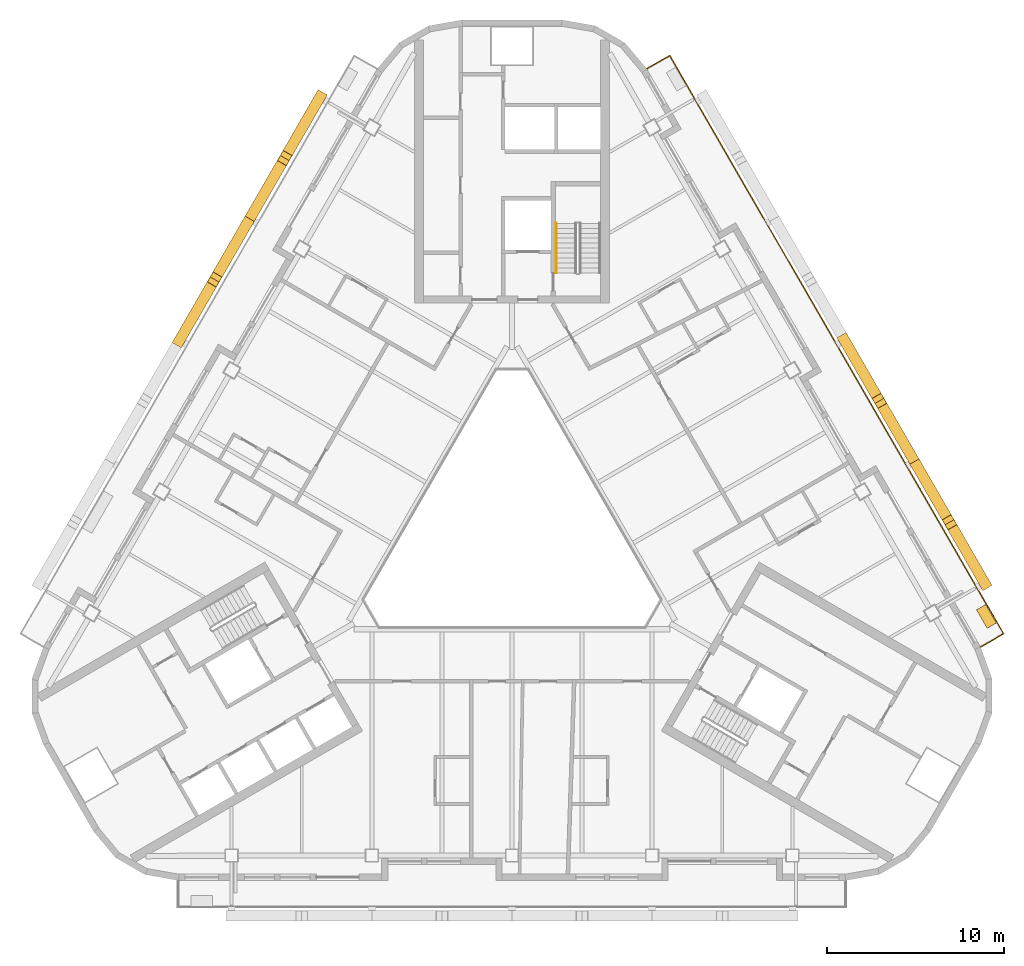
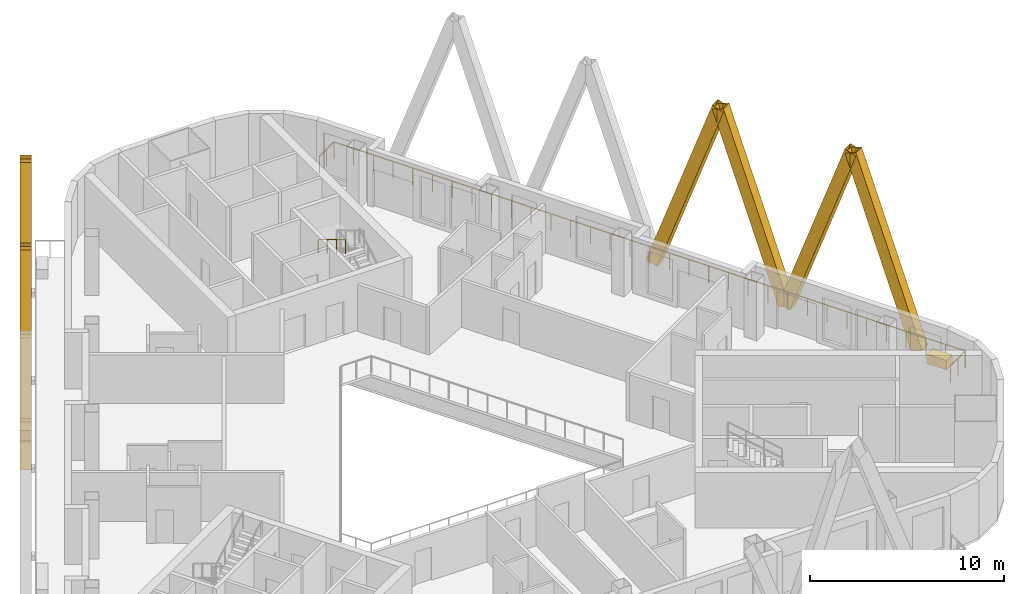
# One storey, part 13 of 14: 8 shading devices, 2 railings, 1 covering.
"""IFC4 building model written with IfcOpenShell, lengths in metres."""

from ifc_helpers import new_model, si_unit, direction, frame, origin, origin_2d, place, context, subcontext, project, spatial, rectangle, hollow_rectangle, circle, extrude, material, material_profile, profile_set, type_object, element, save


model = new_model("IFC4")

# Units and contexts
model_context = context("Model", 3, precision=1e-05, world=origin(), true_north=direction((0.0, 1.0)))
body_context = subcontext(model_context, "Body", "Model", "MODEL_VIEW")
ifc_project = project(units=[si_unit("LENGTHUNIT", "METRE"), si_unit("AREAUNIT", "SQUARE_METRE"), si_unit("VOLUMEUNIT", "CUBIC_METRE"), si_unit("PLANEANGLEUNIT", "RADIAN"), si_unit("MASSUNIT", "GRAM", prefix="KILO")], contexts=[model_context])

# Site, building, storey
site_placement = place(None, origin())
site = spatial("IfcSite", under=ifc_project, at=site_placement, CompositionType="ELEMENT")
building_placement = place(site_placement, origin())
building = spatial("IfcBuilding", under=site, at=building_placement, Name="Apuvela Tower Hotel", CompositionType="ELEMENT")
storey_placement = place(building_placement, frame((0.0, 0.0, 213.199951171875)))
storey = spatial("IfcBuildingStorey", under=building, at=storey_placement, Name="L52", CompositionType="ELEMENT", Elevation=213.199951171875)

# Railing
ifc_material_1 = material(Name="Stainless steel 316 handrail", Category="steel")
railing_type_1 = type_object("IfcRailingType", Name="COR-HANDRAIL-900", PredefinedType="HANDRAIL", material=ifc_material_1)
railing_1_placement = place(storey_placement, frame((2.5, 17.39990234375, 2.018310546875)))
element("IfcRailing", 1, at=railing_1_placement, inside=storey, type_object=railing_type_1, Name="L52 ST1 stair handrail 2", PredefinedType="HANDRAIL", context=body_context, shape_type="SweptSolid", body=[
    extrude(circle(Radius=0.02392578125, at=origin_2d()), frame((0.0, 0.0, 0.8759765625), z_axis=(0.0, -0.857255387014, 0.514891446264), x_axis=(1.0, 0.0, 0.0)), (0.0, 0.0, 1.0), 3.26611328125),
    extrude(rectangle(XDim=0.0419921875, YDim=0.0419921875, at=origin_2d()), origin(), (0.0, 0.0, 1.0), 0.851806640625),
    extrude(rectangle(XDim=0.0419921875, YDim=0.0419921875, at=origin_2d()), frame((0.0, -0.933349609375, 0.560546875)), (0.0, 0.0, 1.0), 0.851806640625),
    extrude(rectangle(XDim=0.0419921875, YDim=0.0419921875, at=origin_2d()), frame((0.0, -1.866455078125, 1.12109375)), (0.0, 0.0, 1.0), 0.851806640625),
    extrude(rectangle(XDim=0.0419921875, YDim=0.0419921875, at=origin_2d()), frame((0.0, -2.7998046875, 1.681640625)), (0.0, 0.0, 1.0), 0.851806640625),
])

# Shading devices
ifc_material_2 = material(Name="Aluminium 6063-T6, black anodised", Category="aluminium")
ifc_material_profile = material_profile(ifc_material_2, hollow_rectangle(XDim=0.60009765625, YDim=0.699951171875, WallThickness=0.011962890625, at=origin_2d()), Name="AL BOX 700x600x12")
ifc_profile_set = profile_set([ifc_material_profile], Name="Aluminium 6063-T6, black anodised")
shading_device_type = type_object("IfcShadingDeviceType", Name="ENV-FIN-700x600", PredefinedType="USERDEFINED", material=ifc_profile_set)
for number, where, z_axis, x_axis, name in (
    (2, (26.632080078125, -2.8681640625, -0.099853515625), (-0.167641034607, 0.290336036574, 0.942126036888), (-0.866005453737, -0.500034552904, 0.0), "Lattice fin NE481"),
    (3, (22.68212890625, 3.973388671875, -0.099853515625), (0.167619886358, -0.290356020231, 0.94212364115), (0.866047669374, 0.499961432884, 0.0), "Lattice fin NE482"),
    (4, (22.68212890625, 3.973388671875, -0.099853515625), (-0.167640025994, 0.290355011648, 0.942120368581), (-0.866020906874, -0.500007788796, 0.0), "Lattice fin NE483"),
    (5, (18.732177734375, 10.81494140625, -0.099853515625), (0.167620894857, -0.290337045103, 0.942129309515), (0.866032218625, 0.499988196164, 0.0), "Lattice fin NE484"),
    (6, (-10.83203125, 24.498291015625, -0.099853515625), (-0.167640025994, -0.290355011648, 0.942120368581), (0.866020906874, -0.500007788796, 0.0), "Lattice fin NW513"),
    (7, (-14.781982421875, 17.656494140625, -0.099853515625), (0.167619886358, 0.290356020231, 0.94212364115), (-0.866047669374, 0.499961432884, 0.0), "Lattice fin NW514"),
    (8, (-14.781982421875, 17.656494140625, -0.099853515625), (-0.167641034607, -0.290336036574, 0.942126036888), (0.866005453737, -0.500034552904, 0.0), "Lattice fin NW515"),
    (9, (-18.732177734375, 10.81494140625, -0.099853515625), (0.167640025994, 0.290355011648, 0.942120368581), (-0.866020906874, 0.500007788796, 0.0), "Lattice fin NW516"),
):
    element("IfcShadingDevice", number, at=place(storey_placement, frame(where, z_axis=z_axis, x_axis=x_axis)), inside=storey, type_object=shading_device_type, Name=name, ObjectType="FIN", PredefinedType="USERDEFINED", context=body_context, shape_type="SweptSolid", body=[
        extrude(hollow_rectangle(XDim=0.60009765625, YDim=0.699951171875, WallThickness=0.011962890625, at=origin_2d()), origin(), (0.0, 0.0, 1.0), 11.78173828125),
    ])

# Railing
ifc_material_3 = material(Name="Stainless steel 316 rail with laminated glass infill", Category="steel")
railing_type_2 = type_object("IfcRailingType", Name="ENV-GUARD-1100", PredefinedType="GUARDRAIL", material=ifc_material_3)
railing_2_placement = place(storey_placement, frame((26.407958984375, -6.47998046875, 0.0)))
element("IfcRailing", 10, at=railing_2_placement, inside=storey, type_object=railing_type_2, Name="Balcony guard NE L52", PredefinedType="GUARDRAIL", context=body_context, shape_type="SweptSolid", body=[
    extrude(rectangle(XDim=0.050048828125, YDim=0.050048828125, at=origin_2d()), frame((0.0, 0.0, 1.0751953125), z_axis=(0.866031096941, 0.499990139034, 0.0), x_axis=(-0.499990139034, 0.866031096941, 0.0)), (0.0, 0.0, 1.0), 1.5),
    extrude(rectangle(XDim=0.050048828125, YDim=0.050048828125, at=origin_2d()), frame((1.299072265625, 0.75, 1.0751953125), z_axis=(-0.500000437506, 0.86602515119, 0.0), x_axis=(-0.86602515119, -0.500000437506, 0.0)), (0.0, 0.0, 1.0), 37.6318359375),
    extrude(rectangle(XDim=0.050048828125, YDim=0.050048828125, at=origin_2d()), frame((-17.516845703125, 33.340087890625, 1.0751953125), z_axis=(-0.86599040064, -0.500060622324, 0.0), x_axis=(0.500060622324, -0.86599040064, 0.0)), (0.0, 0.0, 1.0), 1.499755859375),
    extrude(rectangle(XDim=0.0400390625, YDim=0.0400390625, at=origin_2d()), origin(), (0.0, 0.0, 1.0), 1.050048828125),
    extrude(rectangle(XDim=0.0400390625, YDim=0.0400390625, at=origin_2d()), frame((0.6494140625, 0.375, 0.0)), (0.0, 0.0, 1.0), 1.050048828125),
    extrude(rectangle(XDim=0.0400390625, YDim=0.0400390625, at=origin_2d()), frame((1.299072265625, 0.75, 0.0)), (0.0, 0.0, 1.0), 1.050048828125),
    extrude(rectangle(XDim=0.0400390625, YDim=0.0400390625, at=origin_2d()), frame((0.711181640625, 1.7685546875, 0.0)), (0.0, 0.0, 1.0), 1.050048828125),
    extrude(rectangle(XDim=0.0400390625, YDim=0.0400390625, at=origin_2d()), frame((0.123046875, 2.786865234375, 0.0)), (0.0, 0.0, 1.0), 1.050048828125),
    extrude(rectangle(XDim=0.0400390625, YDim=0.0400390625, at=origin_2d()), frame((-0.46484375, 3.805419921875, 0.0)), (0.0, 0.0, 1.0), 1.050048828125),
    extrude(rectangle(XDim=0.0400390625, YDim=0.0400390625, at=origin_2d()), frame((-1.052978515625, 4.82373046875, 0.0)), (0.0, 0.0, 1.0), 1.050048828125),
    extrude(rectangle(XDim=0.0400390625, YDim=0.0400390625, at=origin_2d()), frame((-1.640869140625, 5.84228515625, 0.0)), (0.0, 0.0, 1.0), 1.050048828125),
    extrude(rectangle(XDim=0.0400390625, YDim=0.0400390625, at=origin_2d()), frame((-2.22900390625, 6.860595703125, 0.0)), (0.0, 0.0, 1.0), 1.050048828125),
    extrude(rectangle(XDim=0.0400390625, YDim=0.0400390625, at=origin_2d()), frame((-2.81689453125, 7.879150390625, 0.0)), (0.0, 0.0, 1.0), 1.050048828125),
    extrude(rectangle(XDim=0.0400390625, YDim=0.0400390625, at=origin_2d()), frame((-3.40478515625, 8.8974609375, 0.0)), (0.0, 0.0, 1.0), 1.050048828125),
    extrude(rectangle(XDim=0.0400390625, YDim=0.0400390625, at=origin_2d()), frame((-3.992919921875, 9.916015625, 0.0)), (0.0, 0.0, 1.0), 1.050048828125),
    extrude(rectangle(XDim=0.0400390625, YDim=0.0400390625, at=origin_2d()), frame((-4.580810546875, 10.934326171875, 0.0)), (0.0, 0.0, 1.0), 1.050048828125),
    extrude(rectangle(XDim=0.0400390625, YDim=0.0400390625, at=origin_2d()), frame((-5.1689453125, 11.952880859375, 0.0)), (0.0, 0.0, 1.0), 1.050048828125),
    extrude(rectangle(XDim=0.0400390625, YDim=0.0400390625, at=origin_2d()), frame((-5.7568359375, 12.97119140625, 0.0)), (0.0, 0.0, 1.0), 1.050048828125),
    extrude(rectangle(XDim=0.0400390625, YDim=0.0400390625, at=origin_2d()), frame((-6.344970703125, 13.98974609375, 0.0)), (0.0, 0.0, 1.0), 1.050048828125),
    extrude(rectangle(XDim=0.0400390625, YDim=0.0400390625, at=origin_2d()), frame((-6.932861328125, 15.008056640625, 0.0)), (0.0, 0.0, 1.0), 1.050048828125),
    extrude(rectangle(XDim=0.0400390625, YDim=0.0400390625, at=origin_2d()), frame((-7.52099609375, 16.026611328125, 0.0)), (0.0, 0.0, 1.0), 1.050048828125),
    extrude(rectangle(XDim=0.0400390625, YDim=0.0400390625, at=origin_2d()), frame((-8.10888671875, 17.044921875, 0.0)), (0.0, 0.0, 1.0), 1.050048828125),
    extrude(rectangle(XDim=0.0400390625, YDim=0.0400390625, at=origin_2d()), frame((-8.69677734375, 18.0634765625, 0.0)), (0.0, 0.0, 1.0), 1.050048828125),
    extrude(rectangle(XDim=0.0400390625, YDim=0.0400390625, at=origin_2d()), frame((-9.284912109375, 19.08203125, 0.0)), (0.0, 0.0, 1.0), 1.050048828125),
    extrude(rectangle(XDim=0.0400390625, YDim=0.0400390625, at=origin_2d()), frame((-9.872802734375, 20.100341796875, 0.0)), (0.0, 0.0, 1.0), 1.050048828125),
    extrude(rectangle(XDim=0.0400390625, YDim=0.0400390625, at=origin_2d()), frame((-10.4609375, 21.118896484375, 0.0)), (0.0, 0.0, 1.0), 1.050048828125),
    extrude(rectangle(XDim=0.0400390625, YDim=0.0400390625, at=origin_2d()), frame((-11.048828125, 22.13720703125, 0.0)), (0.0, 0.0, 1.0), 1.050048828125),
    extrude(rectangle(XDim=0.0400390625, YDim=0.0400390625, at=origin_2d()), frame((-11.636962890625, 23.15576171875, 0.0)), (0.0, 0.0, 1.0), 1.050048828125),
    extrude(rectangle(XDim=0.0400390625, YDim=0.0400390625, at=origin_2d()), frame((-12.224853515625, 24.174072265625, 0.0)), (0.0, 0.0, 1.0), 1.050048828125),
    extrude(rectangle(XDim=0.0400390625, YDim=0.0400390625, at=origin_2d()), frame((-12.81298828125, 25.192626953125, 0.0)), (0.0, 0.0, 1.0), 1.050048828125),
    extrude(rectangle(XDim=0.0400390625, YDim=0.0400390625, at=origin_2d()), frame((-13.40087890625, 26.2109375, 0.0)), (0.0, 0.0, 1.0), 1.050048828125),
    extrude(rectangle(XDim=0.0400390625, YDim=0.0400390625, at=origin_2d()), frame((-13.98876953125, 27.2294921875, 0.0)), (0.0, 0.0, 1.0), 1.050048828125),
    extrude(rectangle(XDim=0.0400390625, YDim=0.0400390625, at=origin_2d()), frame((-14.576904296875, 28.247802734375, 0.0)), (0.0, 0.0, 1.0), 1.050048828125),
    extrude(rectangle(XDim=0.0400390625, YDim=0.0400390625, at=origin_2d()), frame((-15.164794921875, 29.266357421875, 0.0)), (0.0, 0.0, 1.0), 1.050048828125),
    extrude(rectangle(XDim=0.0400390625, YDim=0.0400390625, at=origin_2d()), frame((-15.7529296875, 30.28466796875, 0.0)), (0.0, 0.0, 1.0), 1.050048828125),
    extrude(rectangle(XDim=0.0400390625, YDim=0.0400390625, at=origin_2d()), frame((-16.3408203125, 31.30322265625, 0.0)), (0.0, 0.0, 1.0), 1.050048828125),
    extrude(rectangle(XDim=0.0400390625, YDim=0.0400390625, at=origin_2d()), frame((-16.928955078125, 32.321533203125, 0.0)), (0.0, 0.0, 1.0), 1.050048828125),
    extrude(rectangle(XDim=0.0400390625, YDim=0.0400390625, at=origin_2d()), frame((-17.516845703125, 33.340087890625, 0.0)), (0.0, 0.0, 1.0), 1.050048828125),
    extrude(rectangle(XDim=0.0400390625, YDim=0.0400390625, at=origin_2d()), frame((-18.166259765625, 32.965087890625, 0.0)), (0.0, 0.0, 1.0), 1.050048828125),
    extrude(rectangle(XDim=0.0400390625, YDim=0.0400390625, at=origin_2d()), frame((-18.815673828125, 32.590087890625, 0.0)), (0.0, 0.0, 1.0), 1.050048828125),
])

# Covering
ifc_material_4 = material(Name="Planting substrate and soil, planted")
covering_type = type_object("IfcCoveringType", Name="ENV-PLANTER-1200x600", PredefinedType="USERDEFINED", material=ifc_material_4)
covering_placement = place(storey_placement, frame((26.739013671875, -4.753173828125, 0.0), z_axis=(0.0, 0.0, 1.0), x_axis=(-0.5, 0.866025403784, 0.0)))
element("IfcCovering", 11, at=covering_placement, inside=storey, type_object=covering_type, Name="Planter NE2", ObjectType="PLANTER", PredefinedType="USERDEFINED", context=body_context, shape_type="SweptSolid", body=[
    extrude(rectangle(XDim=1.199951171875, YDim=0.60009765625, at=origin_2d()), origin(), (0.0, 0.0, 1.0), 0.60009765625),
])

save(model, "model.ifc")
